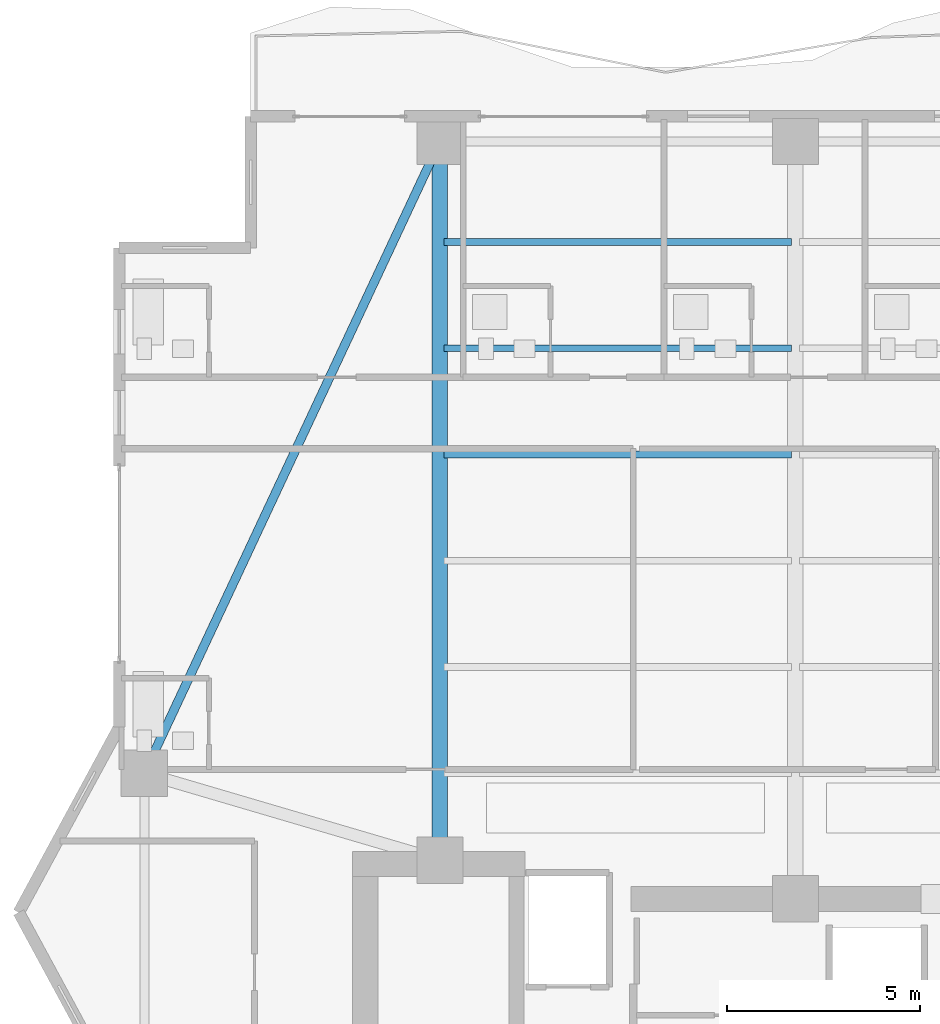
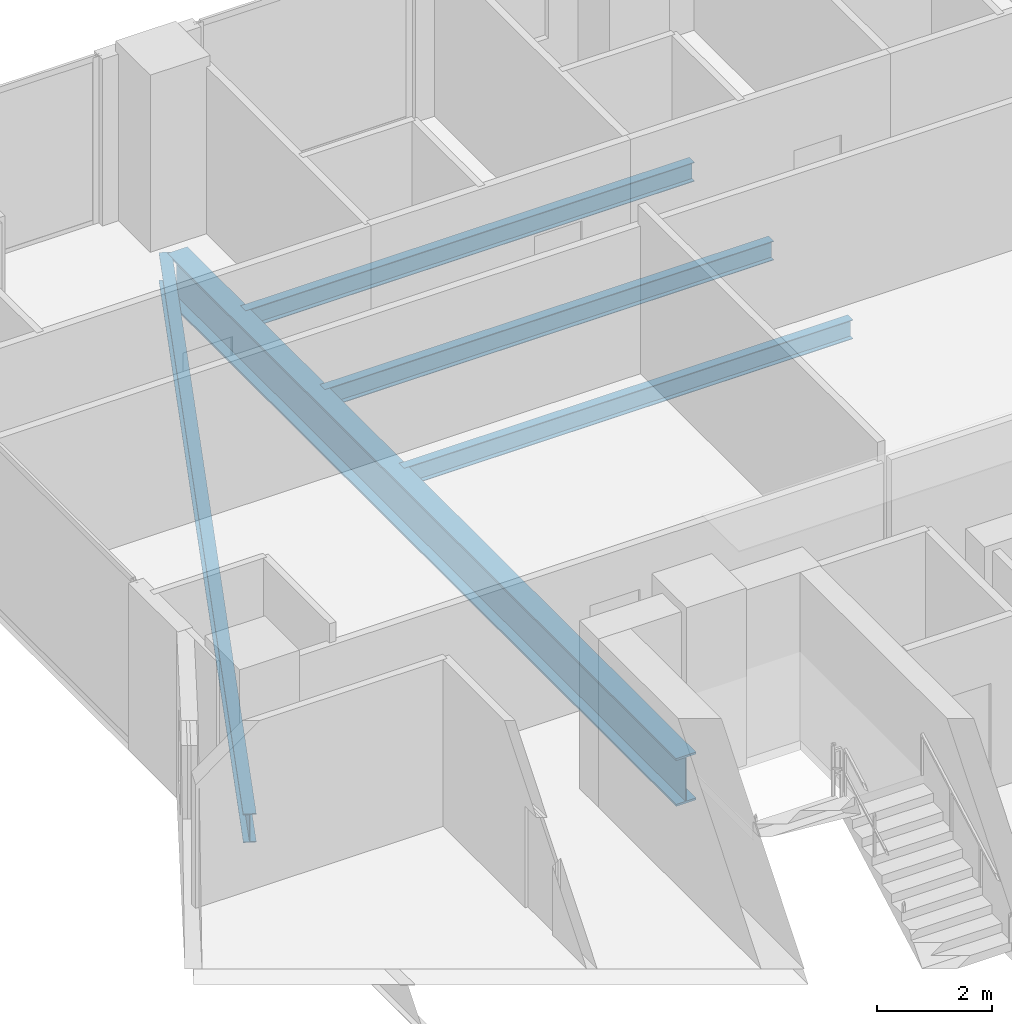
# One storey, part 18 of 33: 5 beams.
"""IFC4 building model written with IfcOpenShell, lengths in metres."""

from ifc_helpers import new_model, si_unit, direction, frame, origin, origin_2d, place, context, subcontext, project, spatial, i_section, extrude, material, material_profile, profile_set, type_object, element, save


model = new_model("IFC4")

# Units and contexts
model_context = context("Model", 3, precision=1e-05, world=origin(), true_north=direction((0.0, 1.0)))
body_context = subcontext(model_context, "Body", "Model", "MODEL_VIEW")
ifc_project = project(units=[si_unit("LENGTHUNIT", "METRE"), si_unit("AREAUNIT", "SQUARE_METRE"), si_unit("VOLUMEUNIT", "CUBIC_METRE"), si_unit("PLANEANGLEUNIT", "RADIAN"), si_unit("MASSUNIT", "GRAM", prefix="KILO")], contexts=[model_context])

# Site, building, storey
site_placement = place(None, origin())
site = spatial("IfcSite", under=ifc_project, at=site_placement, CompositionType="ELEMENT")
building_placement = place(site_placement, origin())
building = spatial("IfcBuilding", under=site, at=building_placement, Name="Zuhayl Quay Hotel", CompositionType="ELEMENT")
storey_placement = place(building_placement, frame((0.0, 0.0, 207.39990234375)))
storey = spatial("IfcBuildingStorey", under=building, at=storey_placement, Name="L52", CompositionType="ELEMENT", Elevation=207.39990234375)

# Beams
ifc_material = material(Name="Steel ASTM A992 Grade 50", Category="steel")
ifc_material_profile_1 = material_profile(ifc_material, i_section(OverallWidth=0.22802734375, OverallDepth=0.60693359375, WebThickness=0.01123046875, FlangeThickness=0.017333984375, at=origin_2d()), Name="W24X76")
ifc_profile_set_1 = profile_set([ifc_material_profile_1], Name="Steel ASTM A992 Grade 50")
beam_type_1 = type_object("IfcBeamType", Name="BM_B3_W24X76", PredefinedType="BEAM", material=ifc_profile_set_1)
beam_1_placement = place(storey_placement, frame((-14.011962890625, 32.4970703125, -0.5234375), z_axis=(-0.423792164429, -0.905759461098, 0.0), x_axis=(0.905759461098, -0.423792164429, 0.0)))
element("IfcBeam", 1, at=beam_1_placement, inside=storey, type_object=beam_type_1, Name="L52 Floor Beam RG_L52_10", PredefinedType="BEAM", context=body_context, shape_type="SweptSolid", body=[
    extrude(i_section(OverallWidth=0.22802734375, OverallDepth=0.60693359375, WebThickness=0.01123046875, FlangeThickness=0.017333984375, at=origin_2d()), origin(), (0.0, 0.0, 1.0), 17.051025390625),
])
ifc_material_profile_2 = material_profile(ifc_material, i_section(OverallWidth=0.177978515625, OverallDepth=0.406005859375, WebThickness=0.0078125, FlangeThickness=0.0126953125, at=origin_2d()), Name="W16X40")
ifc_profile_set_2 = profile_set([ifc_material_profile_2], Name="Steel ASTM A992 Grade 50")
beam_type_2 = type_object("IfcBeamType", Name="BM_J2B_W16X40", PredefinedType="JOIST", material=ifc_profile_set_2)
for number, where, z_axis, x_axis, name in (
    (2, (-13.694091796875, 24.85009765625, -0.4228515625), (1.0, 0.0, 0.0), (0.0, 1.0, 0.0), "L52 Floor Beam FJ_L52_4_1"),
    (3, (-13.694091796875, 27.60009765625, -0.4228515625), (1.0, 0.0, 0.0), (0.0, 1.0, 0.0), "L52 Floor Beam FJ_L52_5_1"),
    (4, (-13.694091796875, 30.35009765625, -0.4228515625), (1.0, 0.0, 0.0), (0.0, 1.0, 0.0), "L52 Floor Beam FJ_L52_6_1"),
):
    element("IfcBeam", number, at=place(storey_placement, frame(where, z_axis=z_axis, x_axis=x_axis)), inside=storey, type_object=beam_type_2, Name=name, PredefinedType="JOIST", context=body_context, shape_type="SweptSolid", body=[
        extrude(i_section(OverallWidth=0.177978515625, OverallDepth=0.406005859375, WebThickness=0.0078125, FlangeThickness=0.0126953125, at=origin_2d()), origin(), (0.0, 0.0, 1.0), 8.988037109375),
    ])
ifc_material_profile_3 = material_profile(ifc_material, i_section(OverallWidth=0.40087890625, OverallDepth=1.010986328125, WebThickness=0.023681640625, FlangeThickness=0.0419921875, at=origin_2d()), Name="W40X297")
ifc_profile_set_3 = profile_set([ifc_material_profile_3], Name="Steel ASTM A992 Grade 50")
beam_type_3 = type_object("IfcBeamType", Name="BM_TG2_W40X297", PredefinedType="BEAM", material=ifc_profile_set_3)
beam_2_placement = place(storey_placement, frame((-13.800048828125, 14.800048828125, -0.725341796875), z_axis=(0.0, 1.0, 0.0), x_axis=(-1.0, 0.0, 0.0)))
element("IfcBeam", 5, at=beam_2_placement, inside=storey, type_object=beam_type_3, Name="L52 Floor Beam FG_N_L52_1", PredefinedType="BEAM", context=body_context, shape_type="SweptSolid", body=[
    extrude(i_section(OverallWidth=0.40087890625, OverallDepth=1.010986328125, WebThickness=0.023681640625, FlangeThickness=0.0419921875, at=origin_2d()), origin(), (0.0, 0.0, 1.0), 17.64990234375),
])

save(model, "model.ifc")
